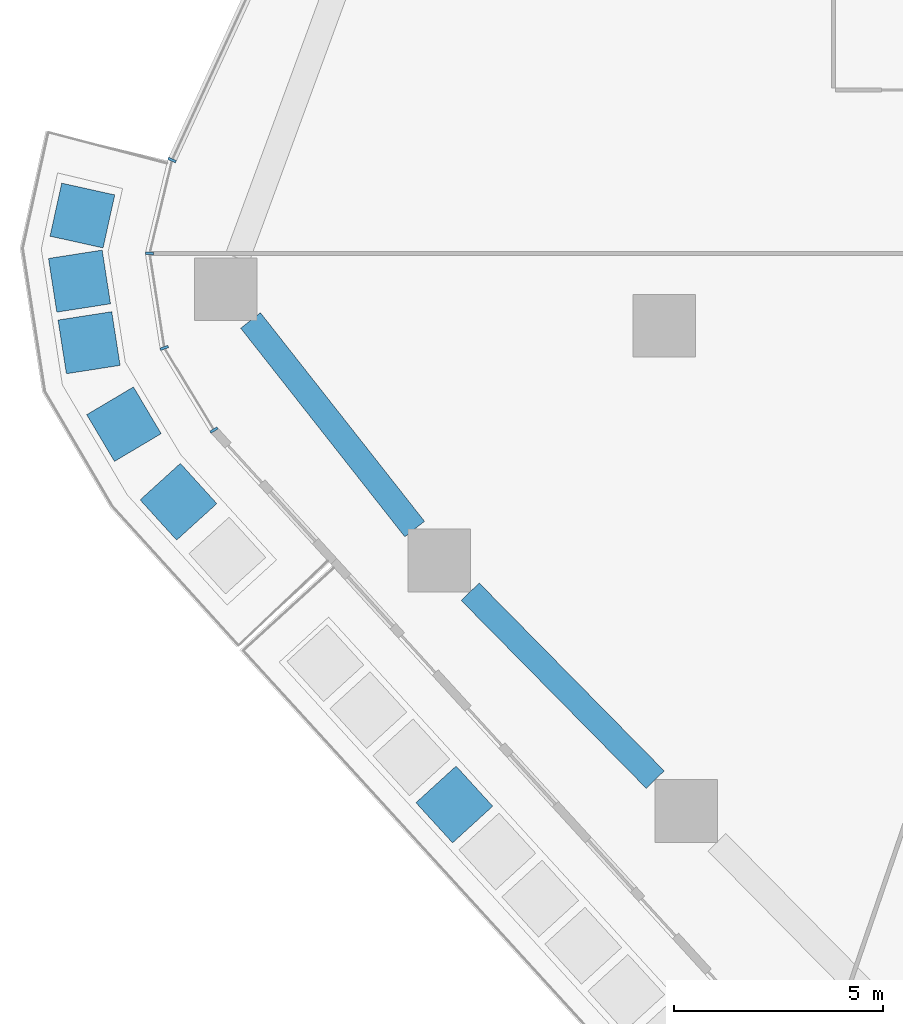
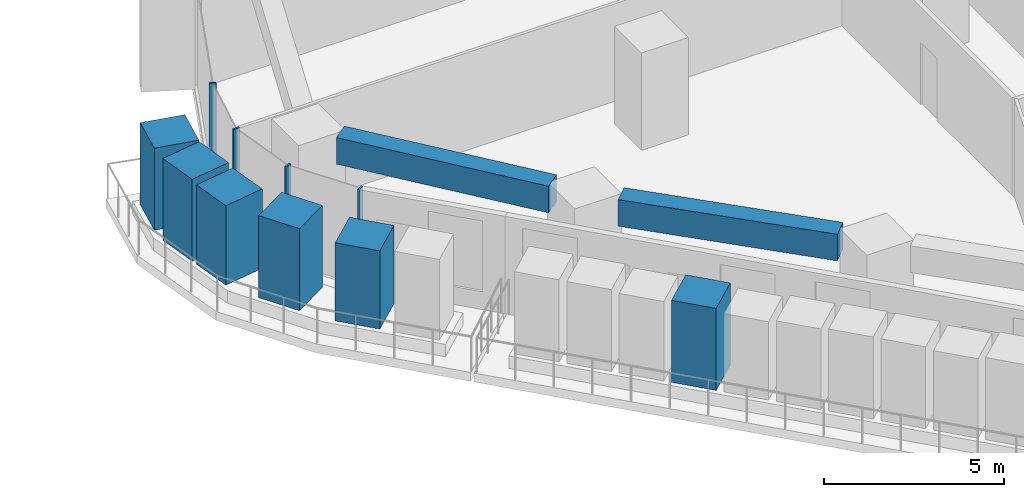
# One storey, part 3 of 26: 10 members, 2 beams, 2 elements without a shape of their own.
"""IFC4 building model written with IfcOpenShell, lengths in metres."""

from ifc_helpers import new_model, si_unit, direction, frame, origin, origin_2d, place, context, subcontext, project, spatial, rectangle, extrude, material, layer, layer_set, material_profile, profile_set, type_object, element, aggregate, save


model = new_model("IFC4")

# Units and contexts
model_context = context("Model", 3, precision=1e-05, world=origin(), true_north=direction((0.0, 1.0)))
body_context = subcontext(model_context, "Body", "Model", "MODEL_VIEW")
ifc_project = project(units=[si_unit("LENGTHUNIT", "METRE"), si_unit("AREAUNIT", "SQUARE_METRE"), si_unit("VOLUMEUNIT", "CUBIC_METRE"), si_unit("PLANEANGLEUNIT", "RADIAN"), si_unit("MASSUNIT", "GRAM", prefix="KILO")], contexts=[model_context])

# Site, building, storey
site_placement = place(None, origin())
site = spatial("IfcSite", under=ifc_project, at=site_placement, CompositionType="ELEMENT")
building_placement = place(site_placement, origin())
building = spatial("IfcBuilding", under=site, at=building_placement, Name="Dongbaek Canopy Tower", CompositionType="ELEMENT")
storey_placement = place(building_placement, frame((0.0, 0.0, 69.89990234375)))
storey = spatial("IfcBuildingStorey", under=building, at=storey_placement, Name="L13", CompositionType="ELEMENT", Elevation=69.89990234375)

# Curtain wall, member
ifc_material_1 = material(Name="Aluminium 6063-T6 pale anodised", Category="aluminium")
ifc_layer = layer(ifc_material_1, 0.199951171875)
ifc_layer_set = layer_set([ifc_layer], Name="CW-1 unitised tower curtain wall")
curtain_wall_type = type_object("IfcCurtainWallType", Name="CW-1 unitised tower curtain wall", PredefinedType="NOTDEFINED", material=ifc_layer_set)
curtain_wall_1_placement = place(storey_placement, origin())
curtain_wall_1 = element("IfcCurtainWall", 1, at=curtain_wall_1_placement, inside=storey, type_object=curtain_wall_type, Name="CW-1 curtain wall F2.1", PredefinedType="NOTDEFINED")
ifc_material_2 = material(Name="Aluminium 6063-T6 pale anodised", Category="aluminium")
ifc_material_profile_1 = material_profile(ifc_material_2, rectangle(XDim=0.199951171875, YDim=0.06005859375, at=origin_2d()), Name="CW-1 mullion 60 x 200")
ifc_profile_set_1 = profile_set([ifc_material_profile_1], Name="Aluminium 6063-T6 pale anodised")
member_type_1 = type_object("IfcMemberType", Name="CW-1 mullion 60 x 200", PredefinedType="MULLION", material=ifc_profile_set_1)
member_1_placement = place(storey_placement, frame((-38.776611328125, -5.03515625, 0.1201171875), z_axis=(0.0, 0.0, 1.0), x_axis=(-0.908435687115, 0.418024643264, 0.0)))
member_1 = element("IfcMember", 2, at=member_1_placement, type_object=member_type_1, Name="CW-1 mullion F2.1.10", PredefinedType="MULLION", context=body_context, shape_type="SweptSolid", body=[
    extrude(rectangle(XDim=0.199951171875, YDim=0.06005859375, at=origin_2d()), origin(), (0.0, 0.0, 1.0), 3.179931640625),
])
aggregate(curtain_wall_1, [member_1])

# Curtain wall, members
curtain_wall_2_placement = place(storey_placement, origin())
curtain_wall_2 = element("IfcCurtainWall", 3, at=curtain_wall_2_placement, inside=storey, type_object=curtain_wall_type, Name="CW-1 curtain wall K3.1", PredefinedType="NOTDEFINED")
member_2_placement = place(storey_placement, frame((-39.31396484375, -7.268798828125, 0.0), z_axis=(0.0, 0.0, 1.0), x_axis=(-0.999160812503, 0.040959379368, 0.0)))
member_2 = element("IfcMember", 4, at=member_2_placement, type_object=member_type_1, Name="CW-1 mullion K3.1.2", PredefinedType="MULLION", context=body_context, shape_type="SweptSolid", body=[
    extrude(rectangle(XDim=0.199951171875, YDim=0.06005859375, at=origin_2d()), origin(), (0.0, 0.0, 1.0), 3.300048828125),
])
member_3_placement = place(storey_placement, frame((-38.962890625, -9.529052734375, 0.0), z_axis=(0.0, 0.0, 1.0), x_axis=(-0.939602897843, -0.342266554551, 0.0)))
member_3 = element("IfcMember", 5, at=member_3_placement, type_object=member_type_1, Name="CW-1 mullion K3.1.3", PredefinedType="MULLION", context=body_context, shape_type="SweptSolid", body=[
    extrude(rectangle(XDim=0.199951171875, YDim=0.06005859375, at=origin_2d()), origin(), (0.0, 0.0, 1.0), 3.300048828125),
])
member_4_placement = place(storey_placement, frame((-37.772705078125, -11.494140625, 0.0), z_axis=(0.0, 0.0, 1.0), x_axis=(-0.855398020163, -0.517971260884, 0.0)))
member_4 = element("IfcMember", 6, at=member_4_placement, type_object=member_type_1, Name="CW-1 mullion K3.1.4", PredefinedType="MULLION", context=body_context, shape_type="SweptSolid", body=[
    extrude(rectangle(XDim=0.199951171875, YDim=0.06005859375, at=origin_2d()), origin(), (0.0, 0.0, 1.0), 3.300048828125),
])
aggregate(curtain_wall_2, [member_2, member_3, member_4])

# Beams
ifc_material_3 = material(Name="Concrete C80", Category="concrete")
ifc_material_profile_2 = material_profile(ifc_material_3, rectangle(XDim=0.60009765625, YDim=0.89990234375, at=origin_2d()), Name="RC EDGE BEAM 600x900 C80")
ifc_profile_set_2 = profile_set([ifc_material_profile_2], Name="Concrete C80")
beam_type = type_object("IfcBeamType", Name="RC EDGE BEAM 600x900 C80", PredefinedType="BEAM", material=ifc_profile_set_2)
beam_1_placement = place(storey_placement, frame((-27.216552734375, -19.85791015625, 2.85009765625), z_axis=(-0.701687682569, 0.712484663787, 0.0), x_axis=(-0.712484663787, -0.701687682569, 0.0)))
element("IfcBeam", 7, at=beam_1_placement, inside=storey, type_object=beam_type, Name="EDGEBEAM:L13:06", PredefinedType="BEAM", context=body_context, shape_type="SweptSolid", body=[
    extrude(rectangle(XDim=0.60009765625, YDim=0.89990234375, at=origin_2d()), origin(), (0.0, 0.0, 1.0), 6.308837890625),
])
beam_2_placement = place(storey_placement, frame((-32.97216796875, -13.863037109375, 2.85009765625), z_axis=(-0.618386857787, 0.785873841094, 0.0), x_axis=(-0.785873841094, -0.618386857787, 0.0)))
element("IfcBeam", 8, at=beam_2_placement, inside=storey, type_object=beam_type, Name="EDGEBEAM:L13:07", PredefinedType="BEAM", context=body_context, shape_type="SweptSolid", body=[
    extrude(rectangle(XDim=0.60009765625, YDim=0.89990234375, at=origin_2d()), origin(), (0.0, 0.0, 1.0), 6.349609375),
])

# Members
ifc_material_4 = material(Name="Concrete C40/50 planter mass with planting", Category="concrete")
ifc_material_profile_3 = material_profile(ifc_material_4, rectangle(XDim=1.300048828125, YDim=1.300048828125, at=origin_2d()), Name="Terrace PLANTER shrub mass 1300 x 1300")
ifc_profile_set_3 = profile_set([ifc_material_profile_3], Name="Concrete C40/50 planter mass with planting")
member_type_2 = type_object("IfcMemberType", Name="Terrace PLANTER shrub mass 1300 x 1300", PredefinedType="USERDEFINED", material=ifc_profile_set_3)
for number, where, z_axis, x_axis, name in (
    (9, (-32.023193359375, -20.45166015625, 0.420166015625), (0.0, 0.0, 1.0), (-0.738720005108, -0.674012428708, 0.0), "Planter shrubs L13 3.4"),
    (10, (-40.920654296875, -6.363037109375, 0.420166015625), (0.0, 0.0, 1.0), (-0.976482122807, 0.21559838552, 0.0), "Planter shrubs L13 7.1"),
):
    element("IfcMember", number, at=place(storey_placement, frame(where, z_axis=z_axis, x_axis=x_axis)), inside=storey, type_object=member_type_2, Name=name, ObjectType="PLANTER", PredefinedType="USERDEFINED", context=body_context, shape_type="SweptSolid", body=[
        extrude(rectangle(XDim=1.300048828125, YDim=1.300048828125, at=origin_2d()), origin(), (0.0, 0.0, 1.0), 2.780029296875),
    ])
member_5_placement = place(storey_placement, frame((-40.989990234375, -7.93212890625, 0.420166015625), z_axis=(0.0, 0.0, 1.0), x_axis=(-0.988138001622, -0.153568518099, 0.0)))
element("IfcMember", 11, at=member_5_placement, inside=storey, type_object=member_type_2, Name="Planter shrubs L13 7.2", ObjectType="PLANTER", PredefinedType="USERDEFINED", context=body_context, shape_type="SweptSolid", body=[
    extrude(rectangle(XDim=1.300048828125, YDim=1.300048828125, at=origin_2d()), origin(), (0.0, 0.0, 1.0), 2.77001953125),
])
member_6_placement = place(storey_placement, frame((-40.760986328125, -9.405517578125, 0.420166015625), z_axis=(0.0, 0.0, 1.0), x_axis=(-0.988138001622, -0.153568518099, 0.0)))
element("IfcMember", 12, at=member_6_placement, inside=storey, type_object=member_type_2, Name="Planter shrubs L13 7.3", ObjectType="PLANTER", PredefinedType="USERDEFINED", context=body_context, shape_type="SweptSolid", body=[
    extrude(rectangle(XDim=1.300048828125, YDim=1.300048828125, at=origin_2d()), origin(), (0.0, 0.0, 1.0), 2.68994140625),
])
member_7_placement = place(storey_placement, frame((-39.926513671875, -11.3544921875, 0.420166015625), z_axis=(0.0, 0.0, 1.0), x_axis=(-0.859783398901, -0.510658894932, 0.0)))
element("IfcMember", 13, at=member_7_placement, inside=storey, type_object=member_type_2, Name="Planter shrubs L13 7.4", ObjectType="PLANTER", PredefinedType="USERDEFINED", context=body_context, shape_type="SweptSolid", body=[
    extrude(rectangle(XDim=1.300048828125, YDim=1.300048828125, at=origin_2d()), origin(), (0.0, 0.0, 1.0), 2.780029296875),
])
member_8_placement = place(storey_placement, frame((-38.6220703125, -13.210205078125, 0.420166015625), z_axis=(0.0, 0.0, 1.0), x_axis=(-0.740275867096, -0.672303235598, 0.0)))
element("IfcMember", 14, at=member_8_placement, inside=storey, type_object=member_type_2, Name="Planter shrubs L13 7.5", ObjectType="PLANTER", PredefinedType="USERDEFINED", context=body_context, shape_type="SweptSolid", body=[
    extrude(rectangle(XDim=1.300048828125, YDim=1.300048828125, at=origin_2d()), origin(), (0.0, 0.0, 1.0), 2.64990234375),
])

save(model, "model.ifc")
